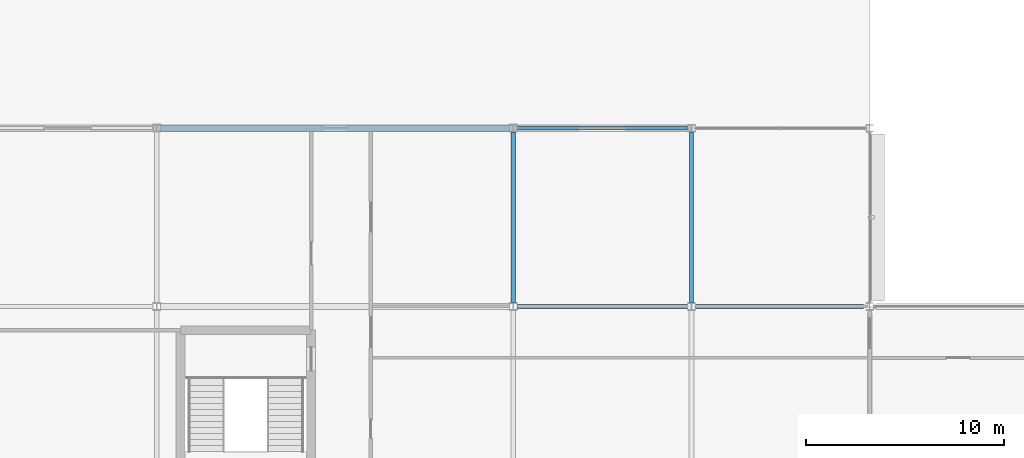
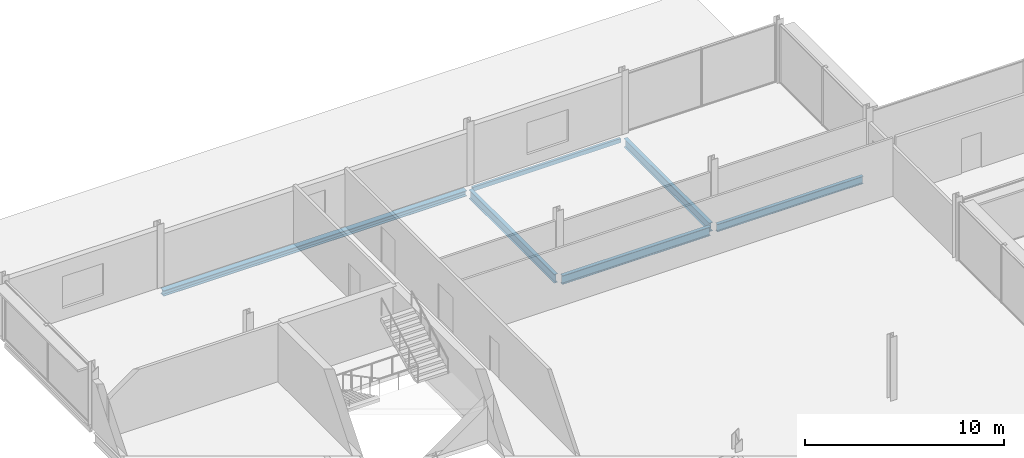
# One storey, part 32 of 105: 6 beams.
"""IFC4 building model written with IfcOpenShell, lengths in metres."""

import ifcopenshell
import ifcopenshell.guid

model = None  # the IFC model being written
_history = None  # IfcOwnerHistory: only IFC2X3 demands one
_inside = {}  # id of a spatial element -> (the spatial element, [elements in it])
_under = {}  # id of a project, library or spatial element -> (it, [spatial elements below it])
_declared = {}  # id of a project -> (the project, [libraries it declares])
_typed = {}  # id of a type object -> (the type object, [elements of that type])
_made_of = {}  # id of a material, layer set ... -> (it, [elements and type objects made of it])


def new_model(schema):
    """Start an empty IFC model of exactly this schema.

    Asked for "IFC4X3", IfcOpenShell would pick the latest addendum, in which some entities
    have other attributes; the version numbers below select the first issue.
    IFC2X3 requires an IfcOwnerHistory on every rooted entity: one is made here for all.
    """
    global model, _history
    if schema == "IFC4X3":
        model = ifcopenshell.file(schema_version=(4, 3, 0, 0))
    else:
        model = ifcopenshell.file(schema=schema)
    _inside.clear()
    _under.clear()
    _declared.clear()
    _typed.clear()
    _made_of.clear()
    _history = None
    if model.schema == "IFC2X3":
        org = make("IfcOrganization", Name="unknown")
        user = make(
            "IfcPersonAndOrganization",
            ThePerson=make("IfcPerson", FamilyName="unknown"),
            TheOrganization=org,
        )
        app = make(
            "IfcApplication",
            ApplicationDeveloper=org,
            Version="unknown",
            ApplicationFullName="unknown",
            ApplicationIdentifier="unknown",
        )
        _history = make(
            "IfcOwnerHistory",
            OwningUser=user,
            OwningApplication=app,
            ChangeAction="ADDED",
            CreationDate=0,
        )
    return model


def make(cls, **values):
    """One entity of the class cls with the attributes given. An attribute that is None is left unset."""
    return model.create_entity(
        cls, **{name: value for name, value in values.items() if value is not None}
    )


def rooted(cls, **values):
    """An entity with a GlobalId (a new one), such as an element, a storey or a relation."""
    return make(cls, GlobalId=ifcopenshell.guid.new(), OwnerHistory=_history, **values)


def si_unit(unit_type, name, prefix=None):
    """IfcSIUnit, for example si_unit("LENGTHUNIT", "METRE", prefix="MILLI")."""
    return make("IfcSIUnit", UnitType=unit_type, Prefix=prefix, Name=name)


def assignment(units):
    """IfcUnitAssignment: the units of a project."""
    return None if units is None else make("IfcUnitAssignment", Units=units)


def point(xyz):
    """IfcCartesianPoint."""
    return None if xyz is None else make("IfcCartesianPoint", Coordinates=xyz)


def direction(xyz):
    """IfcDirection."""
    return None if xyz is None else make("IfcDirection", DirectionRatios=xyz)


def frame(location, z_axis=None, x_axis=None):
    """IfcAxis2Placement3D, a coordinate frame: its origin and axes. An axis left out is left unset."""
    return make(
        "IfcAxis2Placement3D",
        Location=point(location),
        Axis=direction(z_axis),
        RefDirection=direction(x_axis),
    )


def frame_2d(location, x_axis=None):
    """IfcAxis2Placement2D, a coordinate frame in the plane: its origin and x axis."""
    return make(
        "IfcAxis2Placement2D", Location=point(location), RefDirection=direction(x_axis)
    )


def origin():
    """The frame at (0, 0, 0) with its axes left unset."""
    return frame((0.0, 0.0, 0.0))


def origin_2d():
    """The frame at (0, 0) in the plane with its x axis left unset."""
    return frame_2d((0.0, 0.0))


def place(relative_to, where):
    """IfcLocalPlacement: puts the frame where relative to a parent placement (None: the world)."""
    return make(
        "IfcLocalPlacement", PlacementRelTo=relative_to, RelativePlacement=where
    )


def context(
    kind, dimensions, precision=None, world=None, true_north=None, identifier=None
):
    """IfcGeometricRepresentationContext, for example the 3D "Model" context."""
    return make(
        "IfcGeometricRepresentationContext",
        ContextIdentifier=identifier,
        ContextType=kind,
        CoordinateSpaceDimension=dimensions,
        Precision=precision,
        WorldCoordinateSystem=world,
        TrueNorth=true_north,
    )


def subcontext(parent, identifier, kind, view, scale=None):
    """IfcGeometricRepresentationSubContext, for example "Body" below "Model"."""
    return make(
        "IfcGeometricRepresentationSubContext",
        ContextIdentifier=identifier,
        ContextType=kind,
        ParentContext=parent,
        TargetScale=scale,
        TargetView=view,
    )


def project(units=None, contexts=None):
    """IfcProject with its units and contexts."""
    return rooted(
        "IfcProject",
        Name="project",
        RepresentationContexts=contexts,
        UnitsInContext=assignment(units),
    )


def spatial(cls, under=None, at=None, **own):
    """A site, building, storey or space (cls), placed at a placement, below another one or the project."""
    s = rooted(cls, ObjectPlacement=at, **own)
    if under is not None:
        _under.setdefault(under.id(), (under, []))[1].append(s)
    return s


def profile(cls, at=None, kind="AREA", **sizes):
    """A parametric profile (cls). Its sizes go by their IFC names, for example OverallWidth=200.0."""
    return make(cls, ProfileType=kind, Position=at, **sizes)


def hollow_rectangle(**sizes):
    """IfcRectangleHollowProfileDef."""
    return profile("IfcRectangleHollowProfileDef", **sizes)


def i_section(**sizes):
    """IfcIShapeProfileDef."""
    return profile("IfcIShapeProfileDef", **sizes)


def extrude(swept, where, along, depth):
    """IfcExtrudedAreaSolid: the profile swept, set in the frame where, extruded along a direction by depth."""
    return make(
        "IfcExtrudedAreaSolid",
        SweptArea=swept,
        Position=where,
        ExtrudedDirection=direction(along),
        Depth=depth,
    )


def shape(context_of_items, identifier, shape_type, items):
    """IfcShapeRepresentation: the items that make up one representation, for example the "Body"."""
    return make(
        "IfcShapeRepresentation",
        ContextOfItems=context_of_items,
        RepresentationIdentifier=identifier,
        RepresentationType=shape_type,
        Items=items,
    )


def material(Name=None, Category=None):
    """IfcMaterial."""
    return make("IfcMaterial", Name=Name, Category=Category)


def material_profile(
    of_material, cross_section, Name=None, Category=None, Priority=None
):
    """IfcMaterialProfile: a cross section and its material."""
    return make(
        "IfcMaterialProfile",
        Name=Name,
        Material=of_material,
        Profile=cross_section,
        Priority=Priority,
        Category=Category,
    )


def profile_set(profiles, Name=None, composite=None):
    """IfcMaterialProfileSet."""
    return make(
        "IfcMaterialProfileSet",
        Name=Name,
        MaterialProfiles=profiles,
        CompositeProfile=composite,
    )


def made_of(thing, what):
    """Note that an element or type object is made of a material, layer set ...; save() writes the relation."""
    if what is not None:
        _made_of.setdefault(what.id(), (what, []))[1].append(thing)
    return thing


def type_object(cls, material=None, **own):
    """A type object (cls), such as IfcWallType, which elements share."""
    return made_of(rooted(cls, **own), material)


def element(
    cls,
    number,
    at=None,
    inside=None,
    cuts=None,
    type_object=None,
    material=None,
    context=None,
    identifier="Body",
    shape_type=None,
    held_by="IfcProductDefinitionShape",
    body=None,
    shapes=None,
    **own,
):
    """One element of the class cls, such as IfcWall. Its Tag is "e" and its number.

    at: its placement. inside: the storey or other place that contains it. cuts: it is an
    opening in that element (IfcRelVoidsElement). A single representation is given by context,
    identifier, shape_type and body (its items); several are given by shapes. held_by: the class
    of the entity that holds the representations. save() writes the other relations.
    """
    e = rooted(cls, Tag="e%d" % number, ObjectPlacement=at, **own)
    if body is not None:
        shapes = [shape(context, identifier, shape_type, body)]
    if shapes is not None:
        e.Representation = make(held_by, Representations=shapes)
    if inside is not None:
        _inside.setdefault(inside.id(), (inside, []))[1].append(e)
    if cuts is not None:
        rooted(
            "IfcRelVoidsElement", RelatingBuildingElement=cuts, RelatedOpeningElement=e
        )
    if type_object is not None:
        _typed.setdefault(type_object.id(), (type_object, []))[1].append(e)
    return made_of(e, material)


def aggregate(whole, parts):
    """IfcRelAggregates: a whole, such as a stair, and the parts it consists of."""
    return rooted("IfcRelAggregates", RelatingObject=whole, RelatedObjects=parts)


def save(model, path):
    """Write the relations noted so far, then the file.

    IfcRelAggregates (storeys below a building ...), IfcRelContainedInSpatialStructure (elements
    in a storey), IfcRelDefinesByType, IfcRelAssociatesMaterial and IfcRelDeclares: one each for
    every whole, place, type object, material and project.
    """
    for whole, parts in _under.values():
        aggregate(whole, parts)
    for where, things in _inside.values():
        rooted(
            "IfcRelContainedInSpatialStructure",
            RelatedElements=things,
            RelatingStructure=where,
        )
    for kind, things in _typed.values():
        rooted("IfcRelDefinesByType", RelatedObjects=things, RelatingType=kind)
    for what, things in _made_of.values():
        rooted("IfcRelAssociatesMaterial", RelatedObjects=things, RelatingMaterial=what)
    for by, libraries in _declared.values():
        rooted("IfcRelDeclares", RelatingContext=by, RelatedDefinitions=libraries)
    model.write(path)


model = new_model("IFC4")

# Units and contexts
model_context = context("Model", 3, precision=1e-05, world=origin(), true_north=direction((0.0, 1.0)))
body_context = subcontext(model_context, "Body", "Model", "MODEL_VIEW")
ifc_project = project(units=[si_unit("LENGTHUNIT", "METRE"), si_unit("AREAUNIT", "SQUARE_METRE"), si_unit("VOLUMEUNIT", "CUBIC_METRE"), si_unit("PLANEANGLEUNIT", "RADIAN"), si_unit("MASSUNIT", "GRAM", prefix="KILO")], contexts=[model_context])

# Site, building, storey
site_placement = place(None, origin())
site = spatial("IfcSite", under=ifc_project, at=site_placement, CompositionType="ELEMENT")
building_placement = place(site_placement, origin())
building = spatial("IfcBuilding", under=site, at=building_placement, Name="Kisiwana Market Hall", CompositionType="ELEMENT")
storey_placement = place(building_placement, frame((0.0, 0.0, 21.60009765625)))
storey = spatial("IfcBuildingStorey", under=building, at=storey_placement, Name="L04", CompositionType="ELEMENT", Elevation=21.60009765625)

# Beams
ifc_material_1 = material(Name="Steel S355", Category="steel")
ifc_material_profile_1 = material_profile(ifc_material_1, i_section(OverallWidth=0.19140625, OverallDepth=0.4599609375, WebThickness=0.010009765625, FlangeThickness=0.01611328125, at=origin_2d()), Name="UB 457x191x82")
ifc_profile_set_1 = profile_set([ifc_material_profile_1], Name="Steel S355")
beam_type_1 = type_object("IfcBeamType", Name="BM-GIRD-UB082", PredefinedType="BEAM", material=ifc_profile_set_1)
beam_1_placement = place(storey_placement, frame((36.198974609375, 102.0, -0.47509765625), z_axis=(1.0, 0.0, 0.0), x_axis=(0.0, 1.0, 0.0)))
element("IfcBeam", 1, at=beam_1_placement, inside=storey, type_object=beam_type_1, Name="Floor beam B-1470", PredefinedType="BEAM", context=body_context, shape_type="SweptSolid", body=[
    extrude(i_section(OverallWidth=0.19140625, OverallDepth=0.4599609375, WebThickness=0.010009765625, FlangeThickness=0.01611328125, at=origin_2d()), origin(), (0.0, 0.0, 1.0), 8.47998046875),
])
ifc_material_2 = material(Name="Steel S355", Category="steel")
ifc_material_profile_2 = material_profile(ifc_material_2, i_section(OverallWidth=0.210693359375, OverallDepth=0.53955078125, WebThickness=0.01171875, FlangeThickness=0.018798828125, FilletRadius=0.0126953125, at=origin_2d()), Name="UB 533x210x109")
ifc_profile_set_2 = profile_set([ifc_material_profile_2], Name="Steel S355")
beam_type_2 = type_object("IfcBeamType", Name="BM-GIRD-UB109", PredefinedType="BEAM", material=ifc_profile_set_2)
beam_2_placement = place(storey_placement, frame((27.198974609375, 102.0, -0.514892578125), z_axis=(1.0, 0.0, 0.0), x_axis=(0.0, 1.0, 0.0)))
element("IfcBeam", 2, at=beam_2_placement, inside=storey, type_object=beam_type_2, Name="Floor beam B-1469", PredefinedType="BEAM", context=body_context, shape_type="SweptSolid", body=[
    extrude(i_section(OverallWidth=0.210693359375, OverallDepth=0.53955078125, WebThickness=0.01171875, FlangeThickness=0.018798828125, FilletRadius=0.0126953125, at=origin_2d()), origin(), (0.0, 0.0, 1.0), 8.60205078125),
])
ifc_material_3 = material(Name="Steel S355", Category="steel")
ifc_material_profile_3 = material_profile(ifc_material_3, i_section(OverallWidth=0.209228515625, OverallDepth=0.533203125, WebThickness=0.010009765625, FlangeThickness=0.015625, at=origin_2d()), Name="UB 533x210x92")
ifc_profile_set_3 = profile_set([ifc_material_profile_3], Name="Steel S355")
beam_type_3 = type_object("IfcBeamType", Name="BM-GIRD-UB533", PredefinedType="BEAM", material=ifc_profile_set_3)
for number, where, z_axis, x_axis, name in (
    (3, (27.0, 102.2041015625, -0.51171875), (0.0, 1.0, 0.0), (-1.0, 0.0, 0.0), "Primary girder B-1350"),
    (4, (36.0, 102.2041015625, -0.51171875), (0.0, 1.0, 0.0), (-1.0, 0.0, 0.0), "Primary girder B-1356"),
):
    element("IfcBeam", number, at=place(storey_placement, frame(where, z_axis=z_axis, x_axis=x_axis)), inside=storey, type_object=beam_type_3, Name=name, PredefinedType="BEAM", context=body_context, shape_type="SweptSolid", body=[
        extrude(i_section(OverallWidth=0.209228515625, OverallDepth=0.533203125, WebThickness=0.010009765625, FlangeThickness=0.015625, at=origin_2d()), origin(), (0.0, 0.0, 1.0), 8.60302734375),
    ])
ifc_material_4 = material(Name="Steel S355", Category="steel")
ifc_material_profile_4 = material_profile(ifc_material_4, i_section(OverallWidth=0.314453125, OverallDepth=0.33984375, WebThickness=0.01904296875, FlangeThickness=0.031494140625, at=origin_2d()), Name="UC 305x305x198")
ifc_profile_set_4 = profile_set([ifc_material_profile_4], Name="Steel S355")
beam_type_4 = type_object("IfcBeamType", Name="BM-SKYBR-CHORD", PredefinedType="BEAM", material=ifc_profile_set_4)
beam_3_placement = place(storey_placement, frame((9.195556640625, 111.0, -0.462158203125), z_axis=(1.0, 0.0, 0.0), x_axis=(0.0, 1.0, 0.0)))
element("IfcBeam", 5, at=beam_3_placement, inside=storey, type_object=beam_type_4, Name="Floor beam B-1482", PredefinedType="BEAM", context=body_context, shape_type="SweptSolid", body=[
    extrude(i_section(OverallWidth=0.314453125, OverallDepth=0.33984375, WebThickness=0.01904296875, FlangeThickness=0.031494140625, at=origin_2d()), origin(), (0.0, 0.0, 1.0), 17.60888671875),
])
ifc_material_5 = material(Name="Steel S355", Category="steel")
ifc_material_profile_5 = material_profile(ifc_material_5, hollow_rectangle(XDim=0.14990234375, YDim=0.25, WallThickness=0.010009765625, at=origin_2d()), Name="RHS 250x150x10.0")
ifc_profile_set_5 = profile_set([ifc_material_profile_5], Name="Steel S355")
beam_type_5 = type_object("IfcBeamType", Name="BM-SPAN-RHS250", PredefinedType="SPANDREL", material=ifc_profile_set_5)
beam_4_placement = place(storey_placement, frame((27.195556640625, 111.0, -0.4169921875), z_axis=(1.0, 0.0, 0.0), x_axis=(0.0, 1.0, 0.0)))
element("IfcBeam", 6, at=beam_4_placement, inside=storey, type_object=beam_type_5, Name="Floor beam B-1483", PredefinedType="SPANDREL", context=body_context, shape_type="SweptSolid", body=[
    extrude(hollow_rectangle(XDim=0.14990234375, YDim=0.25, WallThickness=0.010009765625, at=origin_2d()), origin(), (0.0, 0.0, 1.0), 8.60888671875),
])

save(model, "model.ifc")
